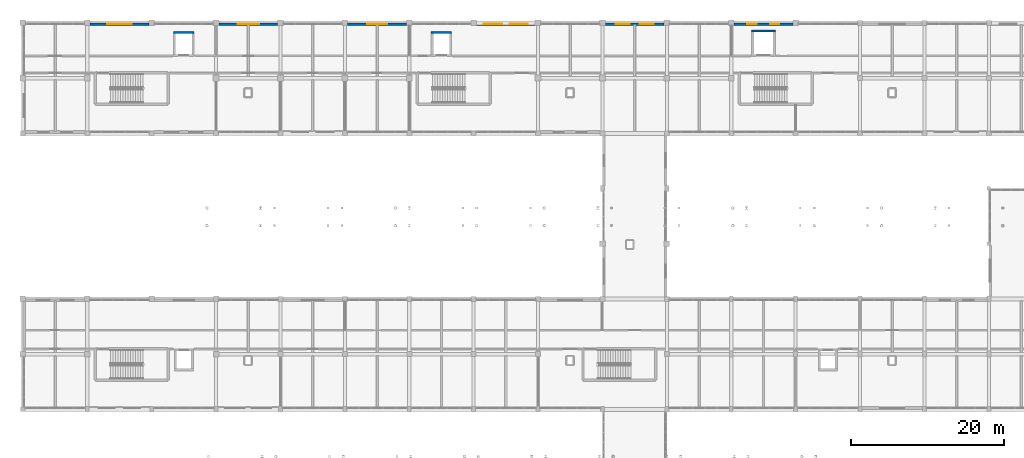
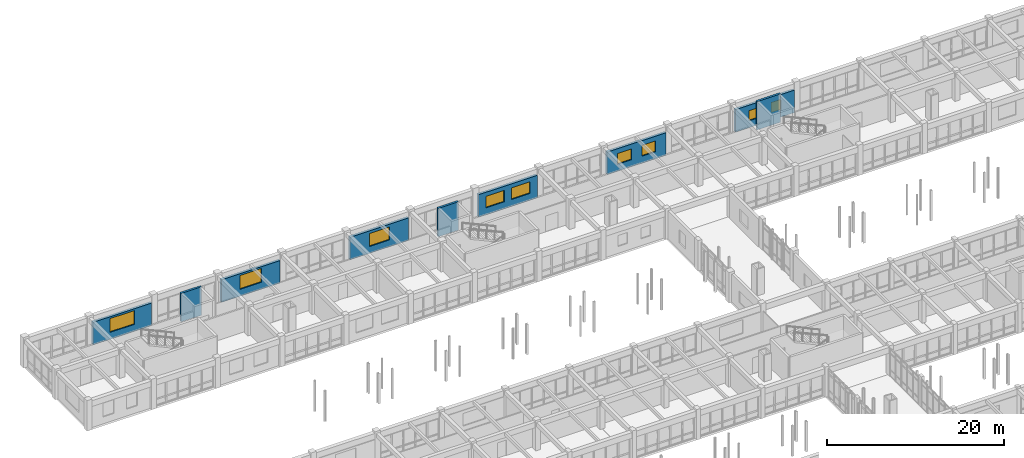
# One storey, part 138 of 147: 9 walls, 9 windows, 9 openings.
"""IFC4 building model written with IfcOpenShell, lengths in metres."""

import ifcopenshell
import ifcopenshell.guid

model = None  # the IFC model being written
_history = None  # IfcOwnerHistory: only IFC2X3 demands one
_inside = {}  # id of a spatial element -> (the spatial element, [elements in it])
_under = {}  # id of a project, library or spatial element -> (it, [spatial elements below it])
_declared = {}  # id of a project -> (the project, [libraries it declares])
_typed = {}  # id of a type object -> (the type object, [elements of that type])
_made_of = {}  # id of a material, layer set ... -> (it, [elements and type objects made of it])


def new_model(schema):
    """Start an empty IFC model of exactly this schema.

    Asked for "IFC4X3", IfcOpenShell would pick the latest addendum, in which some entities
    have other attributes; the version numbers below select the first issue.
    IFC2X3 requires an IfcOwnerHistory on every rooted entity: one is made here for all.
    """
    global model, _history
    if schema == "IFC4X3":
        model = ifcopenshell.file(schema_version=(4, 3, 0, 0))
    else:
        model = ifcopenshell.file(schema=schema)
    _inside.clear()
    _under.clear()
    _declared.clear()
    _typed.clear()
    _made_of.clear()
    _history = None
    if model.schema == "IFC2X3":
        org = make("IfcOrganization", Name="unknown")
        user = make(
            "IfcPersonAndOrganization",
            ThePerson=make("IfcPerson", FamilyName="unknown"),
            TheOrganization=org,
        )
        app = make(
            "IfcApplication",
            ApplicationDeveloper=org,
            Version="unknown",
            ApplicationFullName="unknown",
            ApplicationIdentifier="unknown",
        )
        _history = make(
            "IfcOwnerHistory",
            OwningUser=user,
            OwningApplication=app,
            ChangeAction="ADDED",
            CreationDate=0,
        )
    return model


def make(cls, **values):
    """One entity of the class cls with the attributes given. An attribute that is None is left unset."""
    return model.create_entity(
        cls, **{name: value for name, value in values.items() if value is not None}
    )


def rooted(cls, **values):
    """An entity with a GlobalId (a new one), such as an element, a storey or a relation."""
    return make(cls, GlobalId=ifcopenshell.guid.new(), OwnerHistory=_history, **values)


def si_unit(unit_type, name, prefix=None):
    """IfcSIUnit, for example si_unit("LENGTHUNIT", "METRE", prefix="MILLI")."""
    return make("IfcSIUnit", UnitType=unit_type, Prefix=prefix, Name=name)


def assignment(units):
    """IfcUnitAssignment: the units of a project."""
    return None if units is None else make("IfcUnitAssignment", Units=units)


def point(xyz):
    """IfcCartesianPoint."""
    return None if xyz is None else make("IfcCartesianPoint", Coordinates=xyz)


def direction(xyz):
    """IfcDirection."""
    return None if xyz is None else make("IfcDirection", DirectionRatios=xyz)


def frame(location, z_axis=None, x_axis=None):
    """IfcAxis2Placement3D, a coordinate frame: its origin and axes. An axis left out is left unset."""
    return make(
        "IfcAxis2Placement3D",
        Location=point(location),
        Axis=direction(z_axis),
        RefDirection=direction(x_axis),
    )


def frame_2d(location, x_axis=None):
    """IfcAxis2Placement2D, a coordinate frame in the plane: its origin and x axis."""
    return make(
        "IfcAxis2Placement2D", Location=point(location), RefDirection=direction(x_axis)
    )


def origin():
    """The frame at (0, 0, 0) with its axes left unset."""
    return frame((0.0, 0.0, 0.0))


def place(relative_to, where):
    """IfcLocalPlacement: puts the frame where relative to a parent placement (None: the world)."""
    return make(
        "IfcLocalPlacement", PlacementRelTo=relative_to, RelativePlacement=where
    )


def context(
    kind, dimensions, precision=None, world=None, true_north=None, identifier=None
):
    """IfcGeometricRepresentationContext, for example the 3D "Model" context."""
    return make(
        "IfcGeometricRepresentationContext",
        ContextIdentifier=identifier,
        ContextType=kind,
        CoordinateSpaceDimension=dimensions,
        Precision=precision,
        WorldCoordinateSystem=world,
        TrueNorth=true_north,
    )


def subcontext(parent, identifier, kind, view, scale=None):
    """IfcGeometricRepresentationSubContext, for example "Body" below "Model"."""
    return make(
        "IfcGeometricRepresentationSubContext",
        ContextIdentifier=identifier,
        ContextType=kind,
        ParentContext=parent,
        TargetScale=scale,
        TargetView=view,
    )


def project(units=None, contexts=None):
    """IfcProject with its units and contexts."""
    return rooted(
        "IfcProject",
        Name="project",
        RepresentationContexts=contexts,
        UnitsInContext=assignment(units),
    )


def spatial(cls, under=None, at=None, **own):
    """A site, building, storey or space (cls), placed at a placement, below another one or the project."""
    s = rooted(cls, ObjectPlacement=at, **own)
    if under is not None:
        _under.setdefault(under.id(), (under, []))[1].append(s)
    return s


def profile(cls, at=None, kind="AREA", **sizes):
    """A parametric profile (cls). Its sizes go by their IFC names, for example OverallWidth=200.0."""
    return make(cls, ProfileType=kind, Position=at, **sizes)


def rectangle(**sizes):
    """IfcRectangleProfileDef."""
    return profile("IfcRectangleProfileDef", **sizes)


def extrude(swept, where, along, depth):
    """IfcExtrudedAreaSolid: the profile swept, set in the frame where, extruded along a direction by depth."""
    return make(
        "IfcExtrudedAreaSolid",
        SweptArea=swept,
        Position=where,
        ExtrudedDirection=direction(along),
        Depth=depth,
    )


def shape(context_of_items, identifier, shape_type, items):
    """IfcShapeRepresentation: the items that make up one representation, for example the "Body"."""
    return make(
        "IfcShapeRepresentation",
        ContextOfItems=context_of_items,
        RepresentationIdentifier=identifier,
        RepresentationType=shape_type,
        Items=items,
    )


def material(Name=None, Category=None):
    """IfcMaterial."""
    return make("IfcMaterial", Name=Name, Category=Category)


def layer(
    of_material, thickness, ventilated=None, Name=None, Category=None, Priority=None
):
    """IfcMaterialLayer: one layer of a wall or slab, of a material (None: an air gap)."""
    return make(
        "IfcMaterialLayer",
        Material=of_material,
        LayerThickness=thickness,
        IsVentilated=ventilated,
        Name=Name,
        Category=Category,
        Priority=Priority,
    )


def layer_set(layers, Name=None):
    """IfcMaterialLayerSet."""
    return make("IfcMaterialLayerSet", MaterialLayers=layers, LayerSetName=Name)


def made_of(thing, what):
    """Note that an element or type object is made of a material, layer set ...; save() writes the relation."""
    if what is not None:
        _made_of.setdefault(what.id(), (what, []))[1].append(thing)
    return thing


def type_object(cls, material=None, **own):
    """A type object (cls), such as IfcWallType, which elements share."""
    return made_of(rooted(cls, **own), material)


def element(
    cls,
    number,
    at=None,
    inside=None,
    cuts=None,
    type_object=None,
    material=None,
    context=None,
    identifier="Body",
    shape_type=None,
    held_by="IfcProductDefinitionShape",
    body=None,
    shapes=None,
    **own,
):
    """One element of the class cls, such as IfcWall. Its Tag is "e" and its number.

    at: its placement. inside: the storey or other place that contains it. cuts: it is an
    opening in that element (IfcRelVoidsElement). A single representation is given by context,
    identifier, shape_type and body (its items); several are given by shapes. held_by: the class
    of the entity that holds the representations. save() writes the other relations.
    """
    e = rooted(cls, Tag="e%d" % number, ObjectPlacement=at, **own)
    if body is not None:
        shapes = [shape(context, identifier, shape_type, body)]
    if shapes is not None:
        e.Representation = make(held_by, Representations=shapes)
    if inside is not None:
        _inside.setdefault(inside.id(), (inside, []))[1].append(e)
    if cuts is not None:
        rooted(
            "IfcRelVoidsElement", RelatingBuildingElement=cuts, RelatedOpeningElement=e
        )
    if type_object is not None:
        _typed.setdefault(type_object.id(), (type_object, []))[1].append(e)
    return made_of(e, material)


def fill(opening, filler):
    """IfcRelFillsElement: the door or window that sits in an opening."""
    return rooted(
        "IfcRelFillsElement",
        RelatingOpeningElement=opening,
        RelatedBuildingElement=filler,
    )


def aggregate(whole, parts):
    """IfcRelAggregates: a whole, such as a stair, and the parts it consists of."""
    return rooted("IfcRelAggregates", RelatingObject=whole, RelatedObjects=parts)


def save(model, path):
    """Write the relations noted so far, then the file.

    IfcRelAggregates (storeys below a building ...), IfcRelContainedInSpatialStructure (elements
    in a storey), IfcRelDefinesByType, IfcRelAssociatesMaterial and IfcRelDeclares: one each for
    every whole, place, type object, material and project.
    """
    for whole, parts in _under.values():
        aggregate(whole, parts)
    for where, things in _inside.values():
        rooted(
            "IfcRelContainedInSpatialStructure",
            RelatedElements=things,
            RelatingStructure=where,
        )
    for kind, things in _typed.values():
        rooted("IfcRelDefinesByType", RelatedObjects=things, RelatingType=kind)
    for what, things in _made_of.values():
        rooted("IfcRelAssociatesMaterial", RelatedObjects=things, RelatingMaterial=what)
    for by, libraries in _declared.values():
        rooted("IfcRelDeclares", RelatingContext=by, RelatedDefinitions=libraries)
    model.write(path)


model = new_model("IFC4")

# Units and contexts
model_context = context("Model", 3, precision=1e-05, world=origin(), true_north=direction((0.0, 1.0)))
body_context = subcontext(model_context, "Body", "Model", "MODEL_VIEW")
ifc_project = project(units=[si_unit("LENGTHUNIT", "METRE"), si_unit("AREAUNIT", "SQUARE_METRE"), si_unit("VOLUMEUNIT", "CUBIC_METRE"), si_unit("PLANEANGLEUNIT", "RADIAN"), si_unit("MASSUNIT", "GRAM", prefix="KILO")], contexts=[model_context])

# Site, building, storey
site_placement = place(None, origin())
site = spatial("IfcSite", under=ifc_project, at=site_placement, CompositionType="ELEMENT")
building_placement = place(site_placement, origin())
building = spatial("IfcBuilding", under=site, at=building_placement, Name="Malvenik Polytechnic", CompositionType="ELEMENT")
storey_placement = place(building_placement, frame((0.0, 0.0, 5.10009765625)))
storey = spatial("IfcBuildingStorey", under=building, at=storey_placement, Name="L01", CompositionType="ELEMENT", Elevation=5.10009765625)

# Walls
ifc_material_1 = material(Name="Concrete C35/45", Category="concrete")
ifc_layer_1 = layer(ifc_material_1, 0.280029296875)
ifc_layer_set_1 = layer_set([ifc_layer_1], Name="Concrete C35/45")
wall_type_1 = type_object("IfcWallType", Name="ARC-CW-S280", PredefinedType="SHEAR", material=ifc_layer_set_1)
wall_1_placement = place(storey_placement, frame((19.659912109375, 128.35009765625, 0.0), z_axis=(0.0, 0.0, 1.0), x_axis=(1.0, 0.0, 0.0)))
element("IfcWall", 1, at=wall_1_placement, inside=storey, type_object=wall_type_1, Name="Lift Shaft Shear Wall LS-01 L01 +Y", PredefinedType="SHEAR", context=body_context, shape_type="SweptSolid", body=[
    extrude(rectangle(XDim=2.68017578125, YDim=0.280029296875, at=frame_2d((1.340087890625, 0.0))), origin(), (0.0, 0.0, 1.0), 3.919921875),
])
wall_2_placement = place(storey_placement, frame((53.260009765625, 128.35009765625, 0.0), z_axis=(0.0, 0.0, 1.0), x_axis=(1.0, 0.0, 0.0)))
element("IfcWall", 2, at=wall_2_placement, inside=storey, type_object=wall_type_1, Name="Lift Shaft Shear Wall LS-02 L01 +Y", PredefinedType="SHEAR", context=body_context, shape_type="SweptSolid", body=[
    extrude(rectangle(XDim=2.679931640625, YDim=0.280029296875, at=frame_2d((1.33984375, 0.0))), origin(), (0.0, 0.0, 1.0), 3.919921875),
])
wall_3_placement = place(storey_placement, frame((95.06005859375, 128.550048828125, 0.0), z_axis=(0.0, 0.0, 1.0), x_axis=(1.0, 0.0, 0.0)))
element("IfcWall", 3, at=wall_3_placement, inside=storey, type_object=wall_type_1, Name="Lift Shaft Shear Wall LG-01 L01 +Y", PredefinedType="SHEAR", context=body_context, shape_type="SweptSolid", body=[
    extrude(rectangle(XDim=3.079833984375, YDim=0.280029296875, at=frame_2d((1.5400390625, 0.0))), origin(), (0.0, 0.0, 1.0), 3.919921875),
])

# Wall, opening, window
ifc_material_2 = material(Name="Concrete C30/37", Category="concrete")
ifc_layer_2 = layer(ifc_material_2, 0.340087890625)
ifc_layer_set_2 = layer_set([ifc_layer_2], Name="Concrete C30/37")
wall_type_2 = type_object("IfcWallType", Name="ARC-EW-340", PredefinedType="SOLIDWALL", material=ifc_layer_set_2)
wall_4_placement = place(storey_placement, frame((8.77294921875, 129.429931640625, 0.0), z_axis=(0.0, 0.0, 1.0), x_axis=(1.0, 0.0, 0.0)))
wall_4 = element("IfcWall", 4, at=wall_4_placement, inside=storey, type_object=wall_type_2, Name="External Facade Wall EW-02 L01 #190", PredefinedType="SOLIDWALL", context=body_context, shape_type="SweptSolid", body=[
    extrude(rectangle(XDim=7.654052734375, YDim=0.340087890625, at=frame_2d((3.8271484375, 0.0))), origin(), (0.0, 0.0, 1.0), 3.10986328125),
])
opening_1_placement = place(wall_4_placement, frame((2.22705078125, 0.0, 0.949951171875)))
opening_1 = element("IfcOpeningElement", 5, at=opening_1_placement, cuts=wall_4, Name="Opening W-09", PredefinedType="OPENING", context=body_context, shape_type="SweptSolid", body=[
    extrude(rectangle(XDim=3.199951171875, YDim=1.909912109375, at=frame_2d((1.60009765625, 0.955078125))), frame((0.0, 0.18017578125, 0.0), z_axis=(0.0, -1.0, 0.0), x_axis=(1.0, 0.0, 0.0)), (0.0, 0.0, 1.0), 0.360107421875),
])
ifc_material_3 = material(Name="Thermally broken aluminium frame with low-E double glazing", Category="aluminium")
window_type_1 = type_object("IfcWindowType", Name="ARC-WIN-W-09", PartitioningType="SINGLE_PANEL", PredefinedType="WINDOW", material=ifc_material_3)
window_1_placement = place(opening_1_placement, origin())
window_1 = element("IfcWindow", 6, at=window_1_placement, inside=storey, type_object=window_type_1, Name="Punched Window W-09 L01 #158", OverallHeight=1.909912109375, OverallWidth=3.199951171875, PartitioningType="SINGLE_PANEL", PredefinedType="WINDOW", context=body_context, shape_type="SweptSolid", body=[
    extrude(rectangle(XDim=3.199951171875, YDim=1.909912109375, at=frame_2d((1.60009765625, 0.955078125))), frame((0.0, 0.030029296875, 0.0), z_axis=(0.0, -1.0, 0.0), x_axis=(1.0, 0.0, 0.0)), (0.0, 0.0, 1.0), 0.06005859375),
])
fill(opening_1, window_1)

wall_5_placement = place(storey_placement, frame((25.572998046875, 129.429931640625, 0.0), z_axis=(0.0, 0.0, 1.0), x_axis=(1.0, 0.0, 0.0)))
wall_5 = element("IfcWall", 7, at=wall_5_placement, inside=storey, type_object=wall_type_2, Name="External Facade Wall EW-02 L01 #191", PredefinedType="SOLIDWALL", context=body_context, shape_type="SweptSolid", body=[
    extrude(rectangle(XDim=7.654052734375, YDim=0.340087890625, at=frame_2d((3.8271484375, 0.0))), origin(), (0.0, 0.0, 1.0), 3.10986328125),
])
opening_2_placement = place(wall_5_placement, frame((2.427001953125, 0.0, 0.949951171875)))
opening_2 = element("IfcOpeningElement", 8, at=opening_2_placement, cuts=wall_5, Name="Opening W-10", PredefinedType="OPENING", context=body_context, shape_type="SweptSolid", body=[
    extrude(rectangle(XDim=2.800048828125, YDim=1.909912109375, at=frame_2d((1.39990234375, 0.955078125))), frame((0.0, 0.18017578125, 0.0), z_axis=(0.0, -1.0, 0.0), x_axis=(1.0, 0.0, 0.0)), (0.0, 0.0, 1.0), 0.360107421875),
])
window_type_2 = type_object("IfcWindowType", Name="ARC-WIN-W-10", PartitioningType="SINGLE_PANEL", PredefinedType="WINDOW", material=ifc_material_3)
window_2_placement = place(opening_2_placement, origin())
window_2 = element("IfcWindow", 9, at=window_2_placement, inside=storey, type_object=window_type_2, Name="Punched Window W-10 L01 #159", OverallHeight=1.909912109375, OverallWidth=2.800048828125, PartitioningType="SINGLE_PANEL", PredefinedType="WINDOW", context=body_context, shape_type="SweptSolid", body=[
    extrude(rectangle(XDim=2.800048828125, YDim=1.909912109375, at=frame_2d((1.39990234375, 0.955078125))), frame((0.0, 0.030029296875, 0.0), z_axis=(0.0, -1.0, 0.0), x_axis=(1.0, 0.0, 0.0)), (0.0, 0.0, 1.0), 0.06005859375),
])
fill(opening_2, window_2)

wall_6_placement = place(storey_placement, frame((42.373046875, 129.429931640625, 0.0), z_axis=(0.0, 0.0, 1.0), x_axis=(1.0, 0.0, 0.0)))
wall_6 = element("IfcWall", 10, at=wall_6_placement, inside=storey, type_object=wall_type_2, Name="External Facade Wall EW-02 L01 #192", PredefinedType="SOLIDWALL", context=body_context, shape_type="SweptSolid", body=[
    extrude(rectangle(XDim=7.654052734375, YDim=0.340087890625, at=frame_2d((3.8271484375, 0.0))), origin(), (0.0, 0.0, 1.0), 3.10986328125),
])
opening_3_placement = place(wall_6_placement, frame((2.527099609375, 0.0, 0.949951171875)))
opening_3 = element("IfcOpeningElement", 11, at=opening_3_placement, cuts=wall_6, Name="Opening W-11", PredefinedType="OPENING", context=body_context, shape_type="SweptSolid", body=[
    extrude(rectangle(XDim=2.60009765625, YDim=1.800048828125, at=frame_2d((1.300048828125, 0.89990234375))), frame((0.0, 0.18017578125, 0.0), z_axis=(0.0, -1.0, 0.0), x_axis=(1.0, 0.0, 0.0)), (0.0, 0.0, 1.0), 0.360107421875),
])
window_type_3 = type_object("IfcWindowType", Name="ARC-WIN-W-11", PartitioningType="SINGLE_PANEL", PredefinedType="WINDOW", material=ifc_material_3)
window_3_placement = place(opening_3_placement, origin())
window_3 = element("IfcWindow", 12, at=window_3_placement, inside=storey, type_object=window_type_3, Name="Punched Window W-11 L01 #160", OverallHeight=1.800048828125, OverallWidth=2.60009765625, PartitioningType="SINGLE_PANEL", PredefinedType="WINDOW", context=body_context, shape_type="SweptSolid", body=[
    extrude(rectangle(XDim=2.60009765625, YDim=1.800048828125, at=frame_2d((1.300048828125, 0.89990234375))), frame((0.0, 0.030029296875, 0.0), z_axis=(0.0, -1.0, 0.0), x_axis=(1.0, 0.0, 0.0)), (0.0, 0.0, 1.0), 0.06005859375),
])
fill(opening_3, window_3)

# Wall, openings, windows
wall_7_placement = place(storey_placement, frame((59.173095703125, 129.429931640625, 0.0), z_axis=(0.0, 0.0, 1.0), x_axis=(1.0, 0.0, 0.0)))
wall_7 = element("IfcWall", 13, at=wall_7_placement, inside=storey, type_object=wall_type_2, Name="External Facade Wall EW-02 L01 #193", PredefinedType="SOLIDWALL", context=body_context, shape_type="SweptSolid", body=[
    extrude(rectangle(XDim=7.65380859375, YDim=0.340087890625, at=frame_2d((3.826904296875, 0.0))), origin(), (0.0, 0.0, 1.0), 3.10986328125),
])
opening_4_placement = place(wall_7_placement, frame((0.951416015625, 0.0, 0.949951171875)))
opening_4 = element("IfcOpeningElement", 14, at=opening_4_placement, cuts=wall_7, Name="Opening W-12", PredefinedType="OPENING", context=body_context, shape_type="SweptSolid", body=[
    extrude(rectangle(XDim=2.39990234375, YDim=1.60009765625, at=frame_2d((1.199951171875, 0.800048828125))), frame((0.0, 0.18017578125, 0.0), z_axis=(0.0, -1.0, 0.0), x_axis=(1.0, 0.0, 0.0)), (0.0, 0.0, 1.0), 0.360107421875),
])
opening_5_placement = place(wall_7_placement, frame((4.302490234375, 0.0, 0.949951171875)))
opening_5 = element("IfcOpeningElement", 15, at=opening_5_placement, cuts=wall_7, Name="Opening W-12", PredefinedType="OPENING", context=body_context, shape_type="SweptSolid", body=[
    extrude(rectangle(XDim=2.39990234375, YDim=1.60009765625, at=frame_2d((1.199951171875, 0.800048828125))), frame((0.0, 0.18017578125, 0.0), z_axis=(0.0, -1.0, 0.0), x_axis=(1.0, 0.0, 0.0)), (0.0, 0.0, 1.0), 0.360107421875),
])
window_type_4 = type_object("IfcWindowType", Name="ARC-WIN-W-12", PartitioningType="SINGLE_PANEL", PredefinedType="WINDOW", material=ifc_material_3)
window_4_placement = place(opening_4_placement, origin())
window_4 = element("IfcWindow", 16, at=window_4_placement, inside=storey, type_object=window_type_4, Name="Punched Window W-12 L01 #161", OverallHeight=1.60009765625, OverallWidth=2.39990234375, PartitioningType="SINGLE_PANEL", PredefinedType="WINDOW", context=body_context, shape_type="SweptSolid", body=[
    extrude(rectangle(XDim=2.39990234375, YDim=1.60009765625, at=frame_2d((1.199951171875, 0.800048828125))), frame((0.0, 0.030029296875, 0.0), z_axis=(0.0, -1.0, 0.0), x_axis=(1.0, 0.0, 0.0)), (0.0, 0.0, 1.0), 0.06005859375),
])
fill(opening_4, window_4)
window_5_placement = place(opening_5_placement, origin())
window_5 = element("IfcWindow", 17, at=window_5_placement, inside=storey, type_object=window_type_4, Name="Punched Window W-12 L01 #162", OverallHeight=1.60009765625, OverallWidth=2.39990234375, PartitioningType="SINGLE_PANEL", PredefinedType="WINDOW", context=body_context, shape_type="SweptSolid", body=[
    extrude(rectangle(XDim=2.39990234375, YDim=1.60009765625, at=frame_2d((1.199951171875, 0.800048828125))), frame((0.0, 0.030029296875, 0.0), z_axis=(0.0, -1.0, 0.0), x_axis=(1.0, 0.0, 0.0)), (0.0, 0.0, 1.0), 0.06005859375),
])
fill(opening_5, window_5)

wall_8_placement = place(storey_placement, frame((75.972900390625, 129.429931640625, 0.0), z_axis=(0.0, 0.0, 1.0), x_axis=(1.0, 0.0, 0.0)))
wall_8 = element("IfcWall", 18, at=wall_8_placement, inside=storey, type_object=wall_type_2, Name="External Facade Wall EW-02 L01 #194", PredefinedType="SOLIDWALL", context=body_context, shape_type="SweptSolid", body=[
    extrude(rectangle(XDim=7.67919921875, YDim=0.340087890625, at=frame_2d((3.839599609375, 0.0))), origin(), (0.0, 0.0, 1.0), 3.10986328125),
])
opening_6_placement = place(wall_8_placement, frame((1.359619140625, 0.0, 0.949951171875)))
opening_6 = element("IfcOpeningElement", 19, at=opening_6_placement, cuts=wall_8, Name="Opening W-14", PredefinedType="OPENING", context=body_context, shape_type="SweptSolid", body=[
    extrude(rectangle(XDim=1.800048828125, YDim=1.5, at=frame_2d((0.89990234375, 0.75))), frame((0.0, 0.18017578125, 0.0), z_axis=(0.0, -1.0, 0.0), x_axis=(1.0, 0.0, 0.0)), (0.0, 0.0, 1.0), 0.360107421875),
])
opening_7_placement = place(wall_8_placement, frame((4.519287109375, 0.0, 0.949951171875)))
opening_7 = element("IfcOpeningElement", 20, at=opening_7_placement, cuts=wall_8, Name="Opening W-14", PredefinedType="OPENING", context=body_context, shape_type="SweptSolid", body=[
    extrude(rectangle(XDim=1.800048828125, YDim=1.5, at=frame_2d((0.89990234375, 0.75))), frame((0.0, 0.18017578125, 0.0), z_axis=(0.0, -1.0, 0.0), x_axis=(1.0, 0.0, 0.0)), (0.0, 0.0, 1.0), 0.360107421875),
])
window_type_5 = type_object("IfcWindowType", Name="ARC-WIN-W-14", PartitioningType="SINGLE_PANEL", PredefinedType="WINDOW", material=ifc_material_3)
window_6_placement = place(opening_6_placement, origin())
window_6 = element("IfcWindow", 21, at=window_6_placement, inside=storey, type_object=window_type_5, Name="Punched Window W-14 L01 #163", OverallHeight=1.5, OverallWidth=1.800048828125, PartitioningType="SINGLE_PANEL", PredefinedType="WINDOW", context=body_context, shape_type="SweptSolid", body=[
    extrude(rectangle(XDim=1.800048828125, YDim=1.5, at=frame_2d((0.89990234375, 0.75))), frame((0.0, 0.030029296875, 0.0), z_axis=(0.0, -1.0, 0.0), x_axis=(1.0, 0.0, 0.0)), (0.0, 0.0, 1.0), 0.06005859375),
])
fill(opening_6, window_6)
window_7_placement = place(opening_7_placement, origin())
window_7 = element("IfcWindow", 22, at=window_7_placement, inside=storey, type_object=window_type_5, Name="Punched Window W-14 L01 #164", OverallHeight=1.5, OverallWidth=1.800048828125, PartitioningType="SINGLE_PANEL", PredefinedType="WINDOW", context=body_context, shape_type="SweptSolid", body=[
    extrude(rectangle(XDim=1.800048828125, YDim=1.5, at=frame_2d((0.89990234375, 0.75))), frame((0.0, 0.030029296875, 0.0), z_axis=(0.0, -1.0, 0.0), x_axis=(1.0, 0.0, 0.0)), (0.0, 0.0, 1.0), 0.06005859375),
])
fill(opening_7, window_7)

wall_9_placement = place(storey_placement, frame((92.748046875, 129.429931640625, 0.0), z_axis=(0.0, 0.0, 1.0), x_axis=(1.0, 0.0, 0.0)))
wall_9 = element("IfcWall", 23, at=wall_9_placement, inside=storey, type_object=wall_type_2, Name="External Facade Wall EW-02 L01 #195", PredefinedType="SOLIDWALL", context=body_context, shape_type="SweptSolid", body=[
    extrude(rectangle(XDim=7.703857421875, YDim=0.340087890625, at=frame_2d((3.85205078125, 0.0))), origin(), (0.0, 0.0, 1.0), 3.10986328125),
])
opening_8_placement = place(wall_9_placement, frame((1.76806640625, 0.0, 0.949951171875)))
opening_8 = element("IfcOpeningElement", 24, at=opening_8_placement, cuts=wall_9, Name="Opening W-16", PredefinedType="OPENING", context=body_context, shape_type="SweptSolid", body=[
    extrude(rectangle(XDim=1.199951171875, YDim=1.39990234375, at=frame_2d((0.60009765625, 0.699951171875))), frame((0.0, 0.18017578125, 0.0), z_axis=(0.0, -1.0, 0.0), x_axis=(1.0, 0.0, 0.0)), (0.0, 0.0, 1.0), 0.360107421875),
])
opening_9_placement = place(wall_9_placement, frame((4.736083984375, 0.0, 0.949951171875)))
opening_9 = element("IfcOpeningElement", 25, at=opening_9_placement, cuts=wall_9, Name="Opening W-16", PredefinedType="OPENING", context=body_context, shape_type="SweptSolid", body=[
    extrude(rectangle(XDim=1.199951171875, YDim=1.39990234375, at=frame_2d((0.60009765625, 0.699951171875))), frame((0.0, 0.18017578125, 0.0), z_axis=(0.0, -1.0, 0.0), x_axis=(1.0, 0.0, 0.0)), (0.0, 0.0, 1.0), 0.360107421875),
])
window_type_6 = type_object("IfcWindowType", Name="ARC-WIN-W-16", PartitioningType="SINGLE_PANEL", PredefinedType="WINDOW", material=ifc_material_3)
window_8_placement = place(opening_8_placement, origin())
window_8 = element("IfcWindow", 26, at=window_8_placement, inside=storey, type_object=window_type_6, Name="Punched Window W-16 L01 #165", OverallHeight=1.39990234375, OverallWidth=1.199951171875, PartitioningType="SINGLE_PANEL", PredefinedType="WINDOW", context=body_context, shape_type="SweptSolid", body=[
    extrude(rectangle(XDim=1.199951171875, YDim=1.39990234375, at=frame_2d((0.60009765625, 0.699951171875))), frame((0.0, 0.030029296875, 0.0), z_axis=(0.0, -1.0, 0.0), x_axis=(1.0, 0.0, 0.0)), (0.0, 0.0, 1.0), 0.06005859375),
])
fill(opening_8, window_8)
window_9_placement = place(opening_9_placement, origin())
window_9 = element("IfcWindow", 27, at=window_9_placement, inside=storey, type_object=window_type_6, Name="Punched Window W-16 L01 #166", OverallHeight=1.39990234375, OverallWidth=1.199951171875, PartitioningType="SINGLE_PANEL", PredefinedType="WINDOW", context=body_context, shape_type="SweptSolid", body=[
    extrude(rectangle(XDim=1.199951171875, YDim=1.39990234375, at=frame_2d((0.60009765625, 0.699951171875))), frame((0.0, 0.030029296875, 0.0), z_axis=(0.0, -1.0, 0.0), x_axis=(1.0, 0.0, 0.0)), (0.0, 0.0, 1.0), 0.06005859375),
])
fill(opening_9, window_9)

save(model, "model.ifc")
